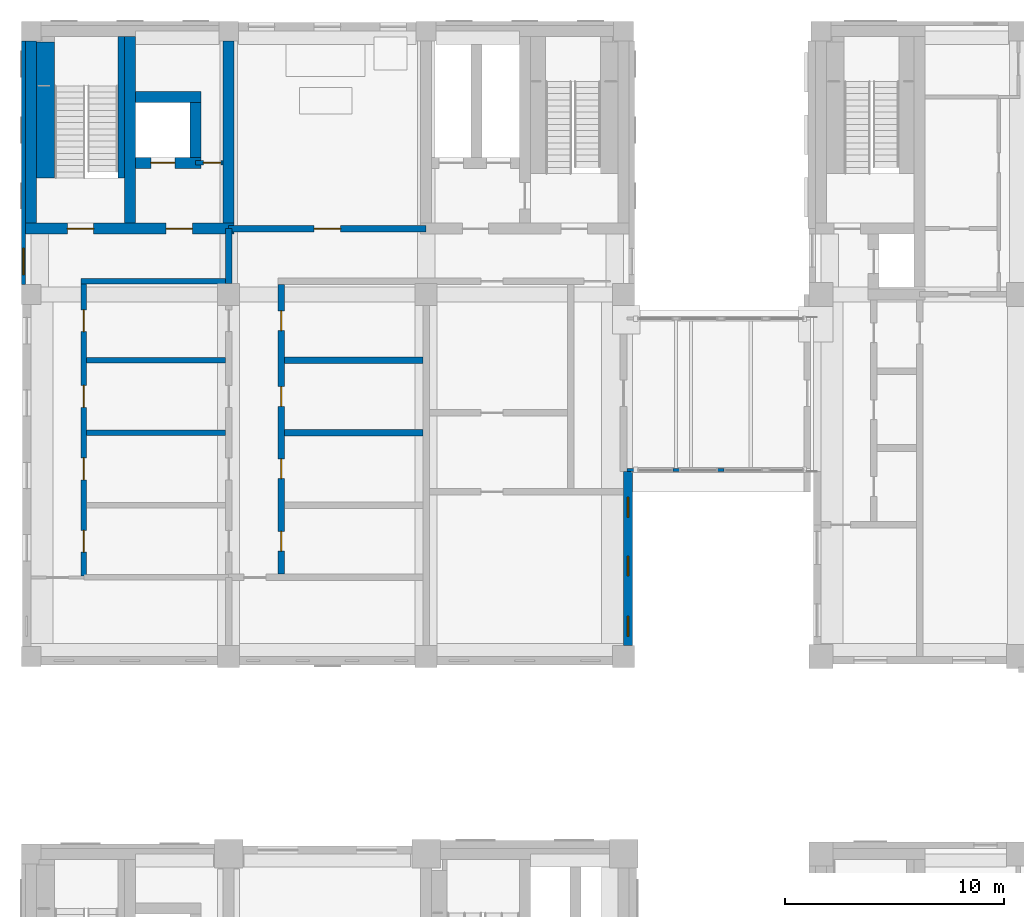
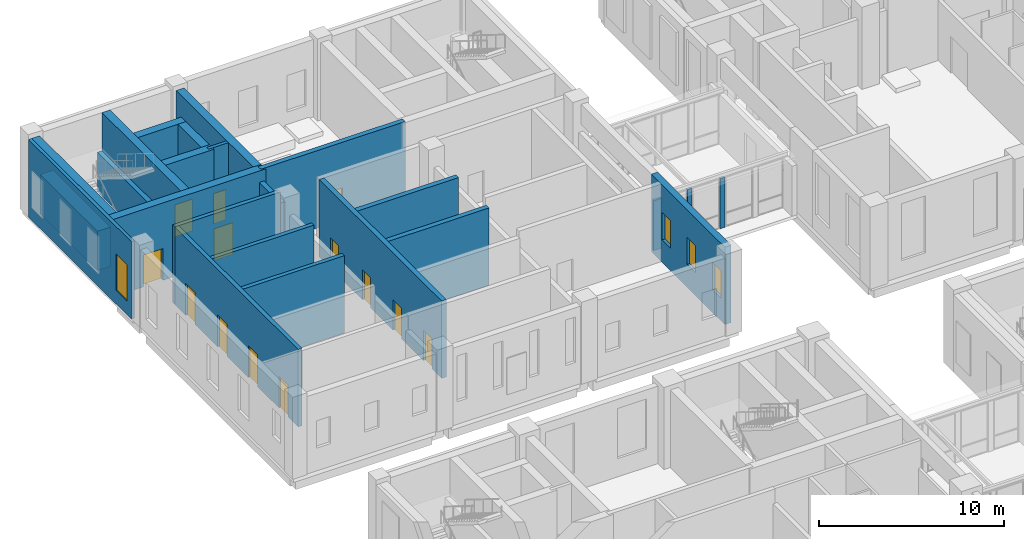
# One storey, part 31 of 52: 24 walls, 13 doors, 4 windows, 17 openings.
"""IFC4 building model written with IfcOpenShell, lengths in metres."""

import ifcopenshell
import ifcopenshell.guid

model = None  # the IFC model being written
_history = None  # IfcOwnerHistory: only IFC2X3 demands one
_inside = {}  # id of a spatial element -> (the spatial element, [elements in it])
_under = {}  # id of a project, library or spatial element -> (it, [spatial elements below it])
_declared = {}  # id of a project -> (the project, [libraries it declares])
_typed = {}  # id of a type object -> (the type object, [elements of that type])
_made_of = {}  # id of a material, layer set ... -> (it, [elements and type objects made of it])


def new_model(schema):
    """Start an empty IFC model of exactly this schema.

    Asked for "IFC4X3", IfcOpenShell would pick the latest addendum, in which some entities
    have other attributes; the version numbers below select the first issue.
    IFC2X3 requires an IfcOwnerHistory on every rooted entity: one is made here for all.
    """
    global model, _history
    if schema == "IFC4X3":
        model = ifcopenshell.file(schema_version=(4, 3, 0, 0))
    else:
        model = ifcopenshell.file(schema=schema)
    _inside.clear()
    _under.clear()
    _declared.clear()
    _typed.clear()
    _made_of.clear()
    _history = None
    if model.schema == "IFC2X3":
        org = make("IfcOrganization", Name="unknown")
        user = make(
            "IfcPersonAndOrganization",
            ThePerson=make("IfcPerson", FamilyName="unknown"),
            TheOrganization=org,
        )
        app = make(
            "IfcApplication",
            ApplicationDeveloper=org,
            Version="unknown",
            ApplicationFullName="unknown",
            ApplicationIdentifier="unknown",
        )
        _history = make(
            "IfcOwnerHistory",
            OwningUser=user,
            OwningApplication=app,
            ChangeAction="ADDED",
            CreationDate=0,
        )
    return model


def make(cls, **values):
    """One entity of the class cls with the attributes given. An attribute that is None is left unset."""
    return model.create_entity(
        cls, **{name: value for name, value in values.items() if value is not None}
    )


def rooted(cls, **values):
    """An entity with a GlobalId (a new one), such as an element, a storey or a relation."""
    return make(cls, GlobalId=ifcopenshell.guid.new(), OwnerHistory=_history, **values)


def si_unit(unit_type, name, prefix=None):
    """IfcSIUnit, for example si_unit("LENGTHUNIT", "METRE", prefix="MILLI")."""
    return make("IfcSIUnit", UnitType=unit_type, Prefix=prefix, Name=name)


def assignment(units):
    """IfcUnitAssignment: the units of a project."""
    return None if units is None else make("IfcUnitAssignment", Units=units)


def point(xyz):
    """IfcCartesianPoint."""
    return None if xyz is None else make("IfcCartesianPoint", Coordinates=xyz)


def direction(xyz):
    """IfcDirection."""
    return None if xyz is None else make("IfcDirection", DirectionRatios=xyz)


def frame(location, z_axis=None, x_axis=None):
    """IfcAxis2Placement3D, a coordinate frame: its origin and axes. An axis left out is left unset."""
    return make(
        "IfcAxis2Placement3D",
        Location=point(location),
        Axis=direction(z_axis),
        RefDirection=direction(x_axis),
    )


def frame_2d(location, x_axis=None):
    """IfcAxis2Placement2D, a coordinate frame in the plane: its origin and x axis."""
    return make(
        "IfcAxis2Placement2D", Location=point(location), RefDirection=direction(x_axis)
    )


def origin():
    """The frame at (0, 0, 0) with its axes left unset."""
    return frame((0.0, 0.0, 0.0))


def place(relative_to, where):
    """IfcLocalPlacement: puts the frame where relative to a parent placement (None: the world)."""
    return make(
        "IfcLocalPlacement", PlacementRelTo=relative_to, RelativePlacement=where
    )


def context(
    kind, dimensions, precision=None, world=None, true_north=None, identifier=None
):
    """IfcGeometricRepresentationContext, for example the 3D "Model" context."""
    return make(
        "IfcGeometricRepresentationContext",
        ContextIdentifier=identifier,
        ContextType=kind,
        CoordinateSpaceDimension=dimensions,
        Precision=precision,
        WorldCoordinateSystem=world,
        TrueNorth=true_north,
    )


def subcontext(parent, identifier, kind, view, scale=None):
    """IfcGeometricRepresentationSubContext, for example "Body" below "Model"."""
    return make(
        "IfcGeometricRepresentationSubContext",
        ContextIdentifier=identifier,
        ContextType=kind,
        ParentContext=parent,
        TargetScale=scale,
        TargetView=view,
    )


def project(units=None, contexts=None):
    """IfcProject with its units and contexts."""
    return rooted(
        "IfcProject",
        Name="project",
        RepresentationContexts=contexts,
        UnitsInContext=assignment(units),
    )


def spatial(cls, under=None, at=None, **own):
    """A site, building, storey or space (cls), placed at a placement, below another one or the project."""
    s = rooted(cls, ObjectPlacement=at, **own)
    if under is not None:
        _under.setdefault(under.id(), (under, []))[1].append(s)
    return s


def profile(cls, at=None, kind="AREA", **sizes):
    """A parametric profile (cls). Its sizes go by their IFC names, for example OverallWidth=200.0."""
    return make(cls, ProfileType=kind, Position=at, **sizes)


def rectangle(**sizes):
    """IfcRectangleProfileDef."""
    return profile("IfcRectangleProfileDef", **sizes)


def extrude(swept, where, along, depth):
    """IfcExtrudedAreaSolid: the profile swept, set in the frame where, extruded along a direction by depth."""
    return make(
        "IfcExtrudedAreaSolid",
        SweptArea=swept,
        Position=where,
        ExtrudedDirection=direction(along),
        Depth=depth,
    )


def shape(context_of_items, identifier, shape_type, items):
    """IfcShapeRepresentation: the items that make up one representation, for example the "Body"."""
    return make(
        "IfcShapeRepresentation",
        ContextOfItems=context_of_items,
        RepresentationIdentifier=identifier,
        RepresentationType=shape_type,
        Items=items,
    )


def material(Name=None, Category=None):
    """IfcMaterial."""
    return make("IfcMaterial", Name=Name, Category=Category)


def layer(
    of_material, thickness, ventilated=None, Name=None, Category=None, Priority=None
):
    """IfcMaterialLayer: one layer of a wall or slab, of a material (None: an air gap)."""
    return make(
        "IfcMaterialLayer",
        Material=of_material,
        LayerThickness=thickness,
        IsVentilated=ventilated,
        Name=Name,
        Category=Category,
        Priority=Priority,
    )


def layer_set(layers, Name=None):
    """IfcMaterialLayerSet."""
    return make("IfcMaterialLayerSet", MaterialLayers=layers, LayerSetName=Name)


def made_of(thing, what):
    """Note that an element or type object is made of a material, layer set ...; save() writes the relation."""
    if what is not None:
        _made_of.setdefault(what.id(), (what, []))[1].append(thing)
    return thing


def type_object(cls, material=None, **own):
    """A type object (cls), such as IfcWallType, which elements share."""
    return made_of(rooted(cls, **own), material)


def element(
    cls,
    number,
    at=None,
    inside=None,
    cuts=None,
    type_object=None,
    material=None,
    context=None,
    identifier="Body",
    shape_type=None,
    held_by="IfcProductDefinitionShape",
    body=None,
    shapes=None,
    **own,
):
    """One element of the class cls, such as IfcWall. Its Tag is "e" and its number.

    at: its placement. inside: the storey or other place that contains it. cuts: it is an
    opening in that element (IfcRelVoidsElement). A single representation is given by context,
    identifier, shape_type and body (its items); several are given by shapes. held_by: the class
    of the entity that holds the representations. save() writes the other relations.
    """
    e = rooted(cls, Tag="e%d" % number, ObjectPlacement=at, **own)
    if body is not None:
        shapes = [shape(context, identifier, shape_type, body)]
    if shapes is not None:
        e.Representation = make(held_by, Representations=shapes)
    if inside is not None:
        _inside.setdefault(inside.id(), (inside, []))[1].append(e)
    if cuts is not None:
        rooted(
            "IfcRelVoidsElement", RelatingBuildingElement=cuts, RelatedOpeningElement=e
        )
    if type_object is not None:
        _typed.setdefault(type_object.id(), (type_object, []))[1].append(e)
    return made_of(e, material)


def fill(opening, filler):
    """IfcRelFillsElement: the door or window that sits in an opening."""
    return rooted(
        "IfcRelFillsElement",
        RelatingOpeningElement=opening,
        RelatedBuildingElement=filler,
    )


def aggregate(whole, parts):
    """IfcRelAggregates: a whole, such as a stair, and the parts it consists of."""
    return rooted("IfcRelAggregates", RelatingObject=whole, RelatedObjects=parts)


def save(model, path):
    """Write the relations noted so far, then the file.

    IfcRelAggregates (storeys below a building ...), IfcRelContainedInSpatialStructure (elements
    in a storey), IfcRelDefinesByType, IfcRelAssociatesMaterial and IfcRelDeclares: one each for
    every whole, place, type object, material and project.
    """
    for whole, parts in _under.values():
        aggregate(whole, parts)
    for where, things in _inside.values():
        rooted(
            "IfcRelContainedInSpatialStructure",
            RelatedElements=things,
            RelatingStructure=where,
        )
    for kind, things in _typed.values():
        rooted("IfcRelDefinesByType", RelatedObjects=things, RelatingType=kind)
    for what, things in _made_of.values():
        rooted("IfcRelAssociatesMaterial", RelatedObjects=things, RelatingMaterial=what)
    for by, libraries in _declared.values():
        rooted("IfcRelDeclares", RelatingContext=by, RelatedDefinitions=libraries)
    model.write(path)


model = new_model("IFC4")

# Units and contexts
model_context = context("Model", 3, precision=1e-05, world=origin(), true_north=direction((0.0, 1.0)))
body_context = subcontext(model_context, "Body", "Model", "MODEL_VIEW")
ifc_project = project(units=[si_unit("LENGTHUNIT", "METRE"), si_unit("AREAUNIT", "SQUARE_METRE"), si_unit("VOLUMEUNIT", "CUBIC_METRE"), si_unit("PLANEANGLEUNIT", "RADIAN"), si_unit("MASSUNIT", "GRAM", prefix="KILO")], contexts=[model_context])

# Site, building, storey
site_placement = place(None, origin())
site = spatial("IfcSite", under=ifc_project, at=site_placement, CompositionType="ELEMENT")
building_placement = place(site_placement, origin())
building = spatial("IfcBuilding", under=site, at=building_placement, Name="Aurelan Courthouse", CompositionType="ELEMENT")
storey_placement = place(building_placement, frame((0.0, 0.0, 6.60009765625)))
storey = spatial("IfcBuildingStorey", under=building, at=storey_placement, Name="L01", CompositionType="ELEMENT", Elevation=6.60009765625)

# Walls
ifc_material_1 = material(Name="Masonry block", Category="masonry")
ifc_layer_1 = layer(ifc_material_1, 0.25)
ifc_layer_set_1 = layer_set([ifc_layer_1], Name="Masonry block")
wall_type_1 = type_object("IfcWallType", Name="Courtroom wall 250 EI 60", PredefinedType="PARTITIONING", material=ifc_layer_set_1)
for number, where, z_axis, x_axis, name in (
    (1, (2.52490234375, 47.699951171875, 0.0), (0.0, 0.0, 1.0), (1.0, 0.0, 0.0), "Courtroom wall L01-039"),
    (2, (2.52490234375, 51.0, 0.0), (0.0, 0.0, 1.0), (1.0, 0.0, 0.0), "Courtroom wall L01-044"),
):
    element("IfcWall", number, at=place(storey_placement, frame(where, z_axis=z_axis, x_axis=x_axis)), inside=storey, type_object=wall_type_1, Name=name, PredefinedType="PARTITIONING", context=body_context, shape_type="SweptSolid", body=[
        extrude(rectangle(XDim=6.3251953125, YDim=0.25, at=frame_2d((3.16259765625, 0.0))), origin(), (0.0, 0.0, 1.0), 5.099853515625),
    ])
wall_1_placement = place(storey_placement, frame((2.27490234375, 54.60009765625, 0.0), z_axis=(0.0, 0.0, 1.0), x_axis=(1.0, 0.0, 0.0)))
element("IfcWall", 3, at=wall_1_placement, inside=storey, type_object=wall_type_1, Name="Courtroom wall L01-055", PredefinedType="PARTITIONING", context=body_context, shape_type="SweptSolid", body=[
    extrude(rectangle(XDim=6.5751953125, YDim=0.25, at=frame_2d((3.28759765625, 0.0))), origin(), (0.0, 0.0, 1.0), 5.099853515625),
])

# Wall, openings, doors
wall_2_placement = place(storey_placement, frame((2.39990234375, 41.175048828125, 0.0), z_axis=(0.0, 0.0, 1.0), x_axis=(0.0, 1.0, 0.0)))
wall_2 = element("IfcWall", 4, at=wall_2_placement, inside=storey, type_object=wall_type_1, Name="Courtroom wall L01-067", PredefinedType="PARTITIONING", context=body_context, shape_type="SweptSolid", body=[
    extrude(rectangle(XDim=13.300048828125, YDim=0.25, at=frame_2d((6.64990234375, 0.0))), origin(), (0.0, 0.0, 1.0), 5.099853515625),
])
opening_1_placement = place(wall_2_placement, frame((12.125, 0.0, 0.0), z_axis=(0.0, 0.0, 1.0), x_axis=(-1.0, 0.0, 0.0)))
opening_1 = element("IfcOpeningElement", 5, at=opening_1_placement, cuts=wall_2, Name="Opening D-L01-101", PredefinedType="OPENING", context=body_context, shape_type="SweptSolid", body=[
    extrude(rectangle(XDim=1.0, YDim=2.10009765625, at=frame_2d((0.5, 1.050048828125))), frame((0.0, 0.135009765625, 0.0), z_axis=(0.0, -1.0, 0.0), x_axis=(1.0, 0.0, 0.0)), (0.0, 0.0, 1.0), 0.27001953125),
])
opening_2_placement = place(wall_2_placement, frame((8.675048828125, 0.0, 0.0), z_axis=(0.0, 0.0, 1.0), x_axis=(-1.0, 0.0, 0.0)))
opening_2 = element("IfcOpeningElement", 6, at=opening_2_placement, cuts=wall_2, Name="Opening D-L01-103", PredefinedType="OPENING", context=body_context, shape_type="SweptSolid", body=[
    extrude(rectangle(XDim=1.0, YDim=2.10009765625, at=frame_2d((0.5, 1.050048828125))), frame((0.0, 0.135009765625, 0.0), z_axis=(0.0, -1.0, 0.0), x_axis=(1.0, 0.0, 0.0)), (0.0, 0.0, 1.0), 0.27001953125),
])
opening_3_placement = place(wall_2_placement, frame((5.375, 0.0, 0.0), z_axis=(0.0, 0.0, 1.0), x_axis=(-1.0, 0.0, 0.0)))
opening_3 = element("IfcOpeningElement", 7, at=opening_3_placement, cuts=wall_2, Name="Opening D-L01-105", PredefinedType="OPENING", context=body_context, shape_type="SweptSolid", body=[
    extrude(rectangle(XDim=1.0, YDim=2.10009765625, at=frame_2d((0.5, 1.050048828125))), frame((0.0, 0.135009765625, 0.0), z_axis=(0.0, -1.0, 0.0), x_axis=(1.0, 0.0, 0.0)), (0.0, 0.0, 1.0), 0.27001953125),
])
opening_4_placement = place(wall_2_placement, frame((2.074951171875, 0.0, 0.0), z_axis=(0.0, 0.0, 1.0), x_axis=(-1.0, 0.0, 0.0)))
opening_4 = element("IfcOpeningElement", 8, at=opening_4_placement, cuts=wall_2, Name="Opening D-L01-107", PredefinedType="OPENING", context=body_context, shape_type="SweptSolid", body=[
    extrude(rectangle(XDim=1.0, YDim=2.10009765625, at=frame_2d((0.5, 1.050048828125))), frame((0.0, 0.135009765625, 0.0), z_axis=(0.0, -1.0, 0.0), x_axis=(1.0, 0.0, 0.0)), (0.0, 0.0, 1.0), 0.27001953125),
])
ifc_material_2 = material(Name="Steel", Category="steel")
door_type_1 = type_object("IfcDoorType", Name="Single door 1000 x 2100 FD30", OperationType="SINGLE_SWING_LEFT", PredefinedType="DOOR", material=ifc_material_2)
door_1_placement = place(opening_1_placement, origin())
door_1 = element("IfcDoor", 9, at=door_1_placement, inside=storey, type_object=door_type_1, Name="Single door D-L01-101", OperationType="SINGLE_SWING_LEFT", OverallHeight=2.10009765625, OverallWidth=1.0, PredefinedType="DOOR", context=body_context, shape_type="SweptSolid", body=[
    extrude(rectangle(XDim=1.0, YDim=2.10009765625, at=frame_2d((0.5, 1.050048828125))), frame((0.0, 0.02490234375, 0.0), z_axis=(0.0, -1.0, 0.0), x_axis=(1.0, 0.0, 0.0)), (0.0, 0.0, 1.0), 0.050048828125),
])
fill(opening_1, door_1)
door_2_placement = place(opening_2_placement, origin())
door_2 = element("IfcDoor", 10, at=door_2_placement, inside=storey, type_object=door_type_1, Name="Single door D-L01-103", OperationType="SINGLE_SWING_LEFT", OverallHeight=2.10009765625, OverallWidth=1.0, PredefinedType="DOOR", context=body_context, shape_type="SweptSolid", body=[
    extrude(rectangle(XDim=1.0, YDim=2.10009765625, at=frame_2d((0.5, 1.050048828125))), frame((0.0, 0.02490234375, 0.0), z_axis=(0.0, -1.0, 0.0), x_axis=(1.0, 0.0, 0.0)), (0.0, 0.0, 1.0), 0.050048828125),
])
fill(opening_2, door_2)
door_3_placement = place(opening_3_placement, origin())
door_3 = element("IfcDoor", 11, at=door_3_placement, inside=storey, type_object=door_type_1, Name="Single door D-L01-105", OperationType="SINGLE_SWING_LEFT", OverallHeight=2.10009765625, OverallWidth=1.0, PredefinedType="DOOR", context=body_context, shape_type="SweptSolid", body=[
    extrude(rectangle(XDim=1.0, YDim=2.10009765625, at=frame_2d((0.5, 1.050048828125))), frame((0.0, 0.02490234375, 0.0), z_axis=(0.0, -1.0, 0.0), x_axis=(1.0, 0.0, 0.0)), (0.0, 0.0, 1.0), 0.050048828125),
])
fill(opening_3, door_3)
door_4_placement = place(opening_4_placement, origin())
door_4 = element("IfcDoor", 12, at=door_4_placement, inside=storey, type_object=door_type_1, Name="Single door D-L01-107", OperationType="SINGLE_SWING_LEFT", OverallHeight=2.10009765625, OverallWidth=1.0, PredefinedType="DOOR", context=body_context, shape_type="SweptSolid", body=[
    extrude(rectangle(XDim=1.0, YDim=2.10009765625, at=frame_2d((0.5, 1.050048828125))), frame((0.0, 0.02490234375, 0.0), z_axis=(0.0, -1.0, 0.0), x_axis=(1.0, 0.0, 0.0)), (0.0, 0.0, 1.0), 0.050048828125),
])
fill(opening_4, door_4)

# Wall, opening, window
ifc_material_3 = material(Name="Granite cladding", Category="masonry")
ifc_layer_2 = layer(ifc_material_3, 0.054931640625, Name="Facing")
ifc_material_4 = material(Name="Ventilated cavity")
ifc_layer_3 = layer(ifc_material_4, 0.02490234375, ventilated=True, Name="Ventilated cavity")
ifc_material_5 = material(Name="Mineral wool insulation")
ifc_layer_4 = layer(ifc_material_5, 0.030029296875, Name="Insulation")
ifc_material_6 = material(Name="Concrete C30", Category="concrete")
ifc_layer_5 = layer(ifc_material_6, 0.090087890625, Name="Structure")
ifc_layer_set_2 = layer_set([ifc_layer_2, ifc_layer_3, ifc_layer_4, ifc_layer_5], Name="Concrete C30")
wall_type_2 = type_object("IfcWallType", Name="Custody Suite granite-faced wall 200", PredefinedType="SOLIDWALL", material=ifc_layer_set_2)
wall_3_placement = place(storey_placement, frame((-0.35009765625, 54.449951171875, 0.0), z_axis=(0.0, 0.0, 1.0), x_axis=(0.0, 1.0, 0.0)))
wall_3 = element("IfcWall", 13, at=wall_3_placement, inside=storey, type_object=wall_type_2, Name="Facade wall FW-V6-L01-010", PredefinedType="SOLIDWALL", context=body_context, shape_type="SweptSolid", body=[
    extrude(rectangle(XDim=11.10009765625, YDim=0.199951171875, at=frame_2d((5.550048828125, 0.0))), origin(), (0.0, 0.0, 1.0), 5.099853515625),
])
opening_5_placement = place(wall_3_placement, frame((0.449951171875, 0.0, 0.89990234375)))
opening_5 = element("IfcOpeningElement", 14, at=opening_5_placement, cuts=wall_3, Name="Opening WN-V6-L01-023", PredefinedType="OPENING", context=body_context, shape_type="SweptSolid", body=[
    extrude(rectangle(XDim=1.199951171875, YDim=2.39990234375, at=frame_2d((0.60009765625, 1.199951171875))), frame((0.0, 0.10986328125, 0.0), z_axis=(0.0, -1.0, 0.0), x_axis=(1.0, 0.0, 0.0)), (0.0, 0.0, 1.0), 0.219970703125),
])
ifc_material_7 = material(Name="Bronze-finished aluminium and glass", Category="aluminium")
window_type_1 = type_object("IfcWindowType", Name="Custody Suite glazed slot 1200 x 2400, sill 900", PartitioningType="SINGLE_PANEL", PredefinedType="WINDOW", material=ifc_material_7)
window_1_placement = place(opening_5_placement, origin())
window_1 = element("IfcWindow", 15, at=window_1_placement, inside=storey, type_object=window_type_1, Name="Glazed slot WN-V6-L01-023", OverallHeight=2.39990234375, OverallWidth=1.199951171875, PartitioningType="SINGLE_PANEL", PredefinedType="WINDOW", context=body_context, shape_type="SweptSolid", body=[
    extrude(rectangle(XDim=1.199951171875, YDim=2.39990234375, at=frame_2d((0.60009765625, 1.199951171875))), frame((0.0, 0.030029296875, 0.0), z_axis=(0.0, -1.0, 0.0), x_axis=(1.0, 0.0, 0.0)), (0.0, 0.0, 1.0), 0.06005859375),
])
fill(opening_5, window_1)

# Wall, openings, windows
ifc_layer_6 = layer(ifc_material_3, 0.114990234375, Name="Facing")
ifc_layer_7 = layer(ifc_material_4, 0.02490234375, ventilated=True, Name="Ventilated cavity")
ifc_layer_8 = layer(ifc_material_5, 0.054931640625, Name="Insulation")
ifc_layer_9 = layer(ifc_material_6, 0.205078125, Name="Structure")
ifc_layer_set_3 = layer_set([ifc_layer_6, ifc_layer_7, ifc_layer_8, ifc_layer_9], Name="Concrete C30")
wall_type_3 = type_object("IfcWallType", Name="Custody Suite granite-faced wall 400", PredefinedType="SOLIDWALL", material=ifc_layer_set_3)
wall_4_placement = place(storey_placement, frame((27.199951171875, 38.0, 0.0), z_axis=(0.0, 0.0, 1.0), x_axis=(0.0, 1.0, 0.0)))
wall_4 = element("IfcWall", 16, at=wall_4_placement, inside=storey, type_object=wall_type_3, Name="Facade wall FW-V6-L01-007", PredefinedType="SOLIDWALL", context=body_context, shape_type="SweptSolid", body=[
    extrude(rectangle(XDim=7.925048828125, YDim=0.39990234375, at=frame_2d((3.96240234375, 0.0))), origin(), (0.0, 0.0, 1.0), 5.099853515625),
])
opening_6_placement = place(wall_4_placement, frame((0.425048828125, 0.0, 1.5)))
opening_6 = element("IfcOpeningElement", 17, at=opening_6_placement, cuts=wall_4, Name="Opening WN-V6-L01-014", PredefinedType="OPENING", context=body_context, shape_type="SweptSolid", body=[
    extrude(rectangle(XDim=0.89990234375, YDim=1.800048828125, at=frame_2d((0.449951171875, 0.89990234375))), frame((0.0, 0.2099609375, 0.0), z_axis=(0.0, -1.0, 0.0), x_axis=(1.0, 0.0, 0.0)), (0.0, 0.0, 1.0), 0.419921875),
])
opening_7_placement = place(wall_4_placement, frame((3.175048828125, 0.0, 1.5)))
opening_7 = element("IfcOpeningElement", 18, at=opening_7_placement, cuts=wall_4, Name="Opening WN-V6-L01-015", PredefinedType="OPENING", context=body_context, shape_type="SweptSolid", body=[
    extrude(rectangle(XDim=0.89990234375, YDim=1.800048828125, at=frame_2d((0.449951171875, 0.89990234375))), frame((0.0, 0.2099609375, 0.0), z_axis=(0.0, -1.0, 0.0), x_axis=(1.0, 0.0, 0.0)), (0.0, 0.0, 1.0), 0.419921875),
])
opening_8_placement = place(wall_4_placement, frame((5.844970703125, 0.0, 1.5)))
opening_8 = element("IfcOpeningElement", 19, at=opening_8_placement, cuts=wall_4, Name="Opening WN-V6-L01-016", PredefinedType="OPENING", context=body_context, shape_type="SweptSolid", body=[
    extrude(rectangle(XDim=0.89990234375, YDim=1.800048828125, at=frame_2d((0.449951171875, 0.89990234375))), frame((0.0, 0.2099609375, 0.0), z_axis=(0.0, -1.0, 0.0), x_axis=(1.0, 0.0, 0.0)), (0.0, 0.0, 1.0), 0.419921875),
])
window_type_2 = type_object("IfcWindowType", Name="Custody Suite window 900 x 1800, sill 1500", PartitioningType="SINGLE_PANEL", PredefinedType="WINDOW", material=ifc_material_7)
window_2_placement = place(opening_6_placement, origin())
window_2 = element("IfcWindow", 20, at=window_2_placement, inside=storey, type_object=window_type_2, Name="Window WN-V6-L01-014", OverallHeight=1.800048828125, OverallWidth=0.89990234375, PartitioningType="SINGLE_PANEL", PredefinedType="WINDOW", context=body_context, shape_type="SweptSolid", body=[
    extrude(rectangle(XDim=0.89990234375, YDim=1.800048828125, at=frame_2d((0.449951171875, 0.89990234375))), frame((0.0, 0.030029296875, 0.0), z_axis=(0.0, -1.0, 0.0), x_axis=(1.0, 0.0, 0.0)), (0.0, 0.0, 1.0), 0.06005859375),
])
fill(opening_6, window_2)
window_3_placement = place(opening_7_placement, origin())
window_3 = element("IfcWindow", 21, at=window_3_placement, inside=storey, type_object=window_type_2, Name="Window WN-V6-L01-015", OverallHeight=1.800048828125, OverallWidth=0.89990234375, PartitioningType="SINGLE_PANEL", PredefinedType="WINDOW", context=body_context, shape_type="SweptSolid", body=[
    extrude(rectangle(XDim=0.89990234375, YDim=1.800048828125, at=frame_2d((0.449951171875, 0.89990234375))), frame((0.0, 0.030029296875, 0.0), z_axis=(0.0, -1.0, 0.0), x_axis=(1.0, 0.0, 0.0)), (0.0, 0.0, 1.0), 0.06005859375),
])
fill(opening_7, window_3)
window_4_placement = place(opening_8_placement, origin())
window_4 = element("IfcWindow", 22, at=window_4_placement, inside=storey, type_object=window_type_2, Name="Window WN-V6-L01-016", OverallHeight=1.800048828125, OverallWidth=0.89990234375, PartitioningType="SINGLE_PANEL", PredefinedType="WINDOW", context=body_context, shape_type="SweptSolid", body=[
    extrude(rectangle(XDim=0.89990234375, YDim=1.800048828125, at=frame_2d((0.449951171875, 0.89990234375))), frame((0.0, 0.030029296875, 0.0), z_axis=(0.0, -1.0, 0.0), x_axis=(1.0, 0.0, 0.0)), (0.0, 0.0, 1.0), 0.06005859375),
])
fill(opening_8, window_4)

# Walls
ifc_layer_10 = layer(ifc_material_6, 0.300048828125)
ifc_layer_set_4 = layer_set([ifc_layer_10], Name="Concrete C30")
wall_type_4 = type_object("IfcWallType", Name="Custody wall 300 EI 120", PredefinedType="PARTITIONING", material=ifc_layer_set_4)
for number, where, z_axis, x_axis, name in (
    (23, (11.550048828125, 47.699951171875, 0.0), (0.0, 0.0, 1.0), (1.0, 0.0, 0.0), "Custody wall L01-040"),
    (24, (11.550048828125, 51.0, 0.0), (0.0, 0.0, 1.0), (1.0, 0.0, 0.0), "Custody wall L01-045"),
):
    element("IfcWall", number, at=place(storey_placement, frame(where, z_axis=z_axis, x_axis=x_axis)), inside=storey, type_object=wall_type_4, Name=name, PredefinedType="PARTITIONING", context=body_context, shape_type="SweptSolid", body=[
        extrude(rectangle(XDim=6.300048828125, YDim=0.300048828125, at=frame_2d((3.14990234375, 0.0))), origin(), (0.0, 0.0, 1.0), 5.099853515625),
    ])

# Wall, opening, door
wall_5_placement = place(storey_placement, frame((9.0, 57.0, 0.0), z_axis=(0.0, 0.0, 1.0), x_axis=(1.0, 0.0, 0.0)))
wall_5 = element("IfcWall", 25, at=wall_5_placement, inside=storey, type_object=wall_type_4, Name="Custody wall L01-057", PredefinedType="PARTITIONING", context=body_context, shape_type="SweptSolid", body=[
    extrude(rectangle(XDim=9.0, YDim=0.300048828125, at=frame_2d((4.5, 0.0))), origin(), (0.0, 0.0, 1.0), 5.099853515625),
])
opening_9_placement = place(wall_5_placement, frame((3.89990234375, 0.0, 0.0)))
opening_9 = element("IfcOpeningElement", 26, at=opening_9_placement, cuts=wall_5, Name="Opening D-L01-100", PredefinedType="OPENING", context=body_context, shape_type="SweptSolid", body=[
    extrude(rectangle(XDim=1.199951171875, YDim=2.10009765625, at=frame_2d((0.60009765625, 1.050048828125))), frame((0.0, 0.159912109375, 0.0), z_axis=(0.0, -1.0, 0.0), x_axis=(1.0, 0.0, 0.0)), (0.0, 0.0, 1.0), 0.320068359375),
])
door_type_2 = type_object("IfcDoorType", Name="Single door 1200 x 2100 FD120", OperationType="SINGLE_SWING_LEFT", PredefinedType="DOOR", material=ifc_material_2)
door_5_placement = place(opening_9_placement, origin())
door_5 = element("IfcDoor", 27, at=door_5_placement, inside=storey, type_object=door_type_2, Name="Single door D-L01-100", OperationType="SINGLE_SWING_LEFT", OverallHeight=2.10009765625, OverallWidth=1.199951171875, PredefinedType="DOOR", context=body_context, shape_type="SweptSolid", body=[
    extrude(rectangle(XDim=1.199951171875, YDim=2.10009765625, at=frame_2d((0.60009765625, 1.050048828125))), frame((0.0, 0.02490234375, 0.0), z_axis=(0.0, -1.0, 0.0), x_axis=(1.0, 0.0, 0.0)), (0.0, 0.0, 1.0), 0.050048828125),
])
fill(opening_9, door_5)

# Wall
wall_6_placement = place(storey_placement, frame((9.0, 54.5, 0.0), z_axis=(0.0, 0.0, 1.0), x_axis=(0.0, 1.0, 0.0)))
element("IfcWall", 28, at=wall_6_placement, inside=storey, type_object=wall_type_4, Name="Custody wall L01-074", PredefinedType="PARTITIONING", context=body_context, shape_type="SweptSolid", body=[
    extrude(rectangle(XDim=2.5, YDim=0.300048828125, at=frame_2d((1.25, 0.0))), origin(), (0.0, 0.0, 1.0), 4.349853515625),
])

# Wall, openings, doors
wall_7_placement = place(storey_placement, frame((11.39990234375, 41.25, 0.0), z_axis=(0.0, 0.0, 1.0), x_axis=(0.0, 1.0, 0.0)))
wall_7 = element("IfcWall", 29, at=wall_7_placement, inside=storey, type_object=wall_type_4, Name="Custody wall L01-075", PredefinedType="PARTITIONING", context=body_context, shape_type="SweptSolid", body=[
    extrude(rectangle(XDim=13.199951171875, YDim=0.300048828125, at=frame_2d((6.60009765625, 0.0))), origin(), (0.0, 0.0, 1.0), 5.099853515625),
])
opening_10_placement = place(wall_7_placement, frame((12.0, 0.0, 0.0), z_axis=(0.0, 0.0, 1.0), x_axis=(-1.0, 0.0, 0.0)))
opening_10 = element("IfcOpeningElement", 30, at=opening_10_placement, cuts=wall_7, Name="Opening D-L01-111", PredefinedType="OPENING", context=body_context, shape_type="SweptSolid", body=[
    extrude(rectangle(XDim=0.89990234375, YDim=2.0, at=frame_2d((0.449951171875, 1.0))), frame((0.0, 0.159912109375, 0.0), z_axis=(0.0, -1.0, 0.0), x_axis=(1.0, 0.0, 0.0)), (0.0, 0.0, 1.0), 0.320068359375),
])
opening_11_placement = place(wall_7_placement, frame((8.5498046875, 0.0, 0.0), z_axis=(0.0, 0.0, 1.0), x_axis=(-1.0, 0.0, 0.0)))
opening_11 = element("IfcOpeningElement", 31, at=opening_11_placement, cuts=wall_7, Name="Opening D-L01-112", PredefinedType="OPENING", context=body_context, shape_type="SweptSolid", body=[
    extrude(rectangle(XDim=0.89990234375, YDim=2.0, at=frame_2d((0.449951171875, 1.0))), frame((0.0, 0.159912109375, 0.0), z_axis=(0.0, -1.0, 0.0), x_axis=(1.0, 0.0, 0.0)), (0.0, 0.0, 1.0), 0.320068359375),
])
opening_12_placement = place(wall_7_placement, frame((5.25, 0.0, 0.0), z_axis=(0.0, 0.0, 1.0), x_axis=(-1.0, 0.0, 0.0)))
opening_12 = element("IfcOpeningElement", 32, at=opening_12_placement, cuts=wall_7, Name="Opening D-L01-113", PredefinedType="OPENING", context=body_context, shape_type="SweptSolid", body=[
    extrude(rectangle(XDim=0.89990234375, YDim=2.0, at=frame_2d((0.449951171875, 1.0))), frame((0.0, 0.159912109375, 0.0), z_axis=(0.0, -1.0, 0.0), x_axis=(1.0, 0.0, 0.0)), (0.0, 0.0, 1.0), 0.320068359375),
])
opening_13_placement = place(wall_7_placement, frame((1.949951171875, 0.0, 0.0), z_axis=(0.0, 0.0, 1.0), x_axis=(-1.0, 0.0, 0.0)))
opening_13 = element("IfcOpeningElement", 33, at=opening_13_placement, cuts=wall_7, Name="Opening D-L01-114", PredefinedType="OPENING", context=body_context, shape_type="SweptSolid", body=[
    extrude(rectangle(XDim=0.89990234375, YDim=2.0, at=frame_2d((0.449951171875, 1.0))), frame((0.0, 0.159912109375, 0.0), z_axis=(0.0, -1.0, 0.0), x_axis=(1.0, 0.0, 0.0)), (0.0, 0.0, 1.0), 0.320068359375),
])
door_type_3 = type_object("IfcDoorType", Name="Single door 900 x 2000 FD120", OperationType="SINGLE_SWING_LEFT", PredefinedType="DOOR", material=ifc_material_2)
door_6_placement = place(opening_10_placement, origin())
door_6 = element("IfcDoor", 34, at=door_6_placement, inside=storey, type_object=door_type_3, Name="Single door D-L01-111", OperationType="SINGLE_SWING_LEFT", OverallHeight=2.0, OverallWidth=0.89990234375, PredefinedType="DOOR", context=body_context, shape_type="SweptSolid", body=[
    extrude(rectangle(XDim=0.89990234375, YDim=2.0, at=frame_2d((0.449951171875, 1.0))), frame((0.0, 0.02490234375, 0.0), z_axis=(0.0, -1.0, 0.0), x_axis=(1.0, 0.0, 0.0)), (0.0, 0.0, 1.0), 0.050048828125),
])
fill(opening_10, door_6)
door_7_placement = place(opening_11_placement, origin())
door_7 = element("IfcDoor", 35, at=door_7_placement, inside=storey, type_object=door_type_3, Name="Single door D-L01-112", OperationType="SINGLE_SWING_RIGHT", OverallHeight=2.0, OverallWidth=0.89990234375, PredefinedType="DOOR", context=body_context, shape_type="SweptSolid", body=[
    extrude(rectangle(XDim=0.89990234375, YDim=2.0, at=frame_2d((0.449951171875, 1.0))), frame((0.0, 0.02490234375, 0.0), z_axis=(0.0, -1.0, 0.0), x_axis=(1.0, 0.0, 0.0)), (0.0, 0.0, 1.0), 0.050048828125),
])
fill(opening_11, door_7)
door_8_placement = place(opening_12_placement, origin())
door_8 = element("IfcDoor", 36, at=door_8_placement, inside=storey, type_object=door_type_3, Name="Single door D-L01-113", OperationType="SINGLE_SWING_LEFT", OverallHeight=2.0, OverallWidth=0.89990234375, PredefinedType="DOOR", context=body_context, shape_type="SweptSolid", body=[
    extrude(rectangle(XDim=0.89990234375, YDim=2.0, at=frame_2d((0.449951171875, 1.0))), frame((0.0, 0.02490234375, 0.0), z_axis=(0.0, -1.0, 0.0), x_axis=(1.0, 0.0, 0.0)), (0.0, 0.0, 1.0), 0.050048828125),
])
fill(opening_12, door_8)
door_9_placement = place(opening_13_placement, origin())
door_9 = element("IfcDoor", 37, at=door_9_placement, inside=storey, type_object=door_type_3, Name="Single door D-L01-114", OperationType="SINGLE_SWING_RIGHT", OverallHeight=2.0, OverallWidth=0.89990234375, PredefinedType="DOOR", context=body_context, shape_type="SweptSolid", body=[
    extrude(rectangle(XDim=0.89990234375, YDim=2.0, at=frame_2d((0.449951171875, 1.0))), frame((0.0, 0.02490234375, 0.0), z_axis=(0.0, -1.0, 0.0), x_axis=(1.0, 0.0, 0.0)), (0.0, 0.0, 1.0), 0.050048828125),
])
fill(opening_13, door_9)

# Walls
ifc_material_8 = material(Name="Concrete C40", Category="concrete")
ifc_layer_11 = layer(ifc_material_8, 0.14990234375)
ifc_layer_set_5 = layer_set([ifc_layer_11], Name="Concrete C40")
wall_type_5 = type_object("IfcWallType", Name="Passage end pier 150 x 500 x 3300", PredefinedType="SOLIDWALL", material=ifc_layer_set_5)
wall_8_placement = place(storey_placement, frame((27.14990234375, 46.0, 0.0), z_axis=(0.0, 0.0, 1.0), x_axis=(1.0, 0.0, 0.0)))
element("IfcWall", 38, at=wall_8_placement, inside=storey, type_object=wall_type_5, Name="Passage pier BR4-P01", PredefinedType="SOLIDWALL", context=body_context, shape_type="SweptSolid", body=[
    extrude(rectangle(XDim=0.5, YDim=0.14990234375, at=frame_2d((0.25, 0.0))), origin(), (0.0, 0.0, 1.0), 3.2998046875),
])
ifc_layer_12 = layer(ifc_material_8, 0.14990234375)
ifc_layer_set_6 = layer_set([ifc_layer_12], Name="Concrete C40")
wall_type_6 = type_object("IfcWallType", Name="Passage pier 150 x 300 x 3300", PredefinedType="SOLIDWALL", material=ifc_layer_set_6)
for number, where, z_axis, x_axis, name in (
    (39, (29.243896484375, 46.0, 0.0), (0.0, 0.0, 1.0), (1.0, 0.0, 0.0), "Passage pier BR4-P02"),
    (40, (31.28759765625, 46.0, 0.0), (0.0, 0.0, 1.0), (1.0, 0.0, 0.0), "Passage pier BR4-P03"),
):
    element("IfcWall", number, at=place(storey_placement, frame(where, z_axis=z_axis, x_axis=x_axis)), inside=storey, type_object=wall_type_6, Name=name, PredefinedType="SOLIDWALL", context=body_context, shape_type="SweptSolid", body=[
        extrude(rectangle(XDim=0.2998046875, YDim=0.14990234375, at=frame_2d((0.14990234375, 0.0))), origin(), (0.0, 0.0, 1.0), 3.2998046875),
    ])

# Wall, openings, doors
ifc_material_9 = material(Name="Concrete C50", Category="concrete")
ifc_layer_13 = layer(ifc_material_9, 0.5)
ifc_layer_set_7 = layer_set([ifc_layer_13], Name="Concrete C50")
wall_type_7 = type_object("IfcWallType", Name="RC shear wall 500", PredefinedType="SHEAR", material=ifc_layer_set_7)
wall_9_placement = place(storey_placement, frame((-0.25, 57.0, 0.0), z_axis=(0.0, 0.0, 1.0), x_axis=(1.0, 0.0, 0.0)))
wall_9 = element("IfcWall", 41, at=wall_9_placement, inside=storey, type_object=wall_type_7, Name="Core wall SW-L01-047", PredefinedType="SHEAR", context=body_context, shape_type="SweptSolid", body=[
    extrude(rectangle(XDim=9.5, YDim=0.5, at=frame_2d((4.75, 0.0))), origin(), (0.0, 0.0, 1.0), 5.099853515625),
])
opening_14_placement = place(wall_9_placement, frame((1.89990234375, 0.0, 0.0)))
opening_14 = element("IfcOpeningElement", 42, at=opening_14_placement, cuts=wall_9, Name="Opening D-L01-090", PredefinedType="OPENING", context=body_context, shape_type="SweptSolid", body=[
    extrude(rectangle(XDim=1.199951171875, YDim=2.10009765625, at=frame_2d((0.60009765625, 1.050048828125))), frame((0.0, 0.260009765625, 0.0), z_axis=(0.0, -1.0, 0.0), x_axis=(1.0, 0.0, 0.0)), (0.0, 0.0, 1.0), 0.52001953125),
])
opening_15_placement = place(wall_9_placement, frame((7.599853515625, 0.0, 0.0), z_axis=(0.0, 0.0, 1.0), x_axis=(-1.0, 0.0, 0.0)))
opening_15 = element("IfcOpeningElement", 43, at=opening_15_placement, cuts=wall_9, Name="Opening D-L01-091", PredefinedType="OPENING", context=body_context, shape_type="SweptSolid", body=[
    extrude(rectangle(XDim=1.199951171875, YDim=2.10009765625, at=frame_2d((0.60009765625, 1.050048828125))), frame((0.0, 0.260009765625, 0.0), z_axis=(0.0, -1.0, 0.0), x_axis=(1.0, 0.0, 0.0)), (0.0, 0.0, 1.0), 0.52001953125),
])
door_type_4 = type_object("IfcDoorType", Name="Single door 1200 x 2100 FD90", OperationType="SINGLE_SWING_LEFT", PredefinedType="DOOR", material=ifc_material_2)
door_10_placement = place(opening_14_placement, origin())
door_10 = element("IfcDoor", 44, at=door_10_placement, inside=storey, type_object=door_type_4, Name="Single door D-L01-090", OperationType="SINGLE_SWING_LEFT", OverallHeight=2.10009765625, OverallWidth=1.199951171875, PredefinedType="DOOR", context=body_context, shape_type="SweptSolid", body=[
    extrude(rectangle(XDim=1.199951171875, YDim=2.10009765625, at=frame_2d((0.60009765625, 1.050048828125))), frame((0.0, 0.02490234375, 0.0), z_axis=(0.0, -1.0, 0.0), x_axis=(1.0, 0.0, 0.0)), (0.0, 0.0, 1.0), 0.050048828125),
])
fill(opening_14, door_10)
door_11_placement = place(opening_15_placement, origin())
door_11 = element("IfcDoor", 45, at=door_11_placement, inside=storey, type_object=door_type_4, Name="Single door D-L01-091", OperationType="SINGLE_SWING_LEFT", OverallHeight=2.10009765625, OverallWidth=1.199951171875, PredefinedType="DOOR", context=body_context, shape_type="SweptSolid", body=[
    extrude(rectangle(XDim=1.199951171875, YDim=2.10009765625, at=frame_2d((0.60009765625, 1.050048828125))), frame((0.0, 0.02490234375, 0.0), z_axis=(0.0, -1.0, 0.0), x_axis=(1.0, 0.0, 0.0)), (0.0, 0.0, 1.0), 0.050048828125),
])
fill(opening_15, door_11)

# Walls
wall_10_placement = place(storey_placement, frame((0.0, 57.25, 0.0), z_axis=(0.0, 0.0, 1.0), x_axis=(0.0, 1.0, 0.0)))
element("IfcWall", 46, at=wall_10_placement, inside=storey, type_object=wall_type_7, Name="Core wall SW-L01-054", PredefinedType="SHEAR", context=body_context, shape_type="SweptSolid", body=[
    extrude(rectangle(XDim=8.300048828125, YDim=0.5, at=frame_2d((4.14990234375, 0.0))), origin(), (0.0, 0.0, 1.0), 5.099853515625),
])
wall_11_placement = place(storey_placement, frame((4.5, 57.25, 0.0), z_axis=(0.0, 0.0, 1.0), x_axis=(0.0, 1.0, 0.0)))
element("IfcWall", 47, at=wall_11_placement, inside=storey, type_object=wall_type_7, Name="Core wall SW-L01-055", PredefinedType="SHEAR", context=body_context, shape_type="SweptSolid", body=[
    extrude(rectangle(XDim=8.5, YDim=0.5, at=frame_2d((4.25, 0.0))), origin(), (0.0, 0.0, 1.0), 5.099853515625),
])
wall_12_placement = place(storey_placement, frame((9.0, 57.25, 0.0), z_axis=(0.0, 0.0, 1.0), x_axis=(0.0, 1.0, 0.0)))
element("IfcWall", 48, at=wall_12_placement, inside=storey, type_object=wall_type_7, Name="Core wall SW-L01-056", PredefinedType="SHEAR", context=body_context, shape_type="SweptSolid", body=[
    extrude(rectangle(XDim=8.300048828125, YDim=0.5, at=frame_2d((4.14990234375, 0.0))), origin(), (0.0, 0.0, 1.0), 5.099853515625),
])

# Wall, opening, door
wall_13_placement = place(storey_placement, frame((4.75, 60.0, 0.0), z_axis=(0.0, 0.0, 1.0), x_axis=(1.0, 0.0, 0.0)))
wall_13 = element("IfcWall", 49, at=wall_13_placement, inside=storey, type_object=wall_type_7, Name="Core wall SW-L01-067", PredefinedType="SHEAR", context=body_context, shape_type="SweptSolid", body=[
    extrude(rectangle(XDim=3.0, YDim=0.5, at=frame_2d((1.5, 0.0))), origin(), (0.0, 0.0, 1.0), 5.099853515625),
])
opening_16_placement = place(wall_13_placement, frame((0.699951171875, 0.0, 0.0)))
opening_16 = element("IfcOpeningElement", 50, at=opening_16_placement, cuts=wall_13, Name="Opening LD-V6-S1-L01", PredefinedType="OPENING", context=body_context, shape_type="SweptSolid", body=[
    extrude(rectangle(XDim=1.10009765625, YDim=2.10009765625, at=frame_2d((0.550048828125, 1.050048828125))), frame((0.0, 0.260009765625, 0.0), z_axis=(0.0, -1.0, 0.0), x_axis=(1.0, 0.0, 0.0)), (0.0, 0.0, 1.0), 0.52001953125),
])
door_type_5 = type_object("IfcDoorType", Name="Lift landing door 1100 x 2100 FD90", OperationType="SLIDING_TO_LEFT", PredefinedType="DOOR", material=ifc_material_2)
door_12_placement = place(opening_16_placement, origin())
door_12 = element("IfcDoor", 51, at=door_12_placement, inside=storey, type_object=door_type_5, Name="Lift landing door LD-V6-S1-L01", OperationType="SLIDING_TO_LEFT", OverallHeight=2.10009765625, OverallWidth=1.10009765625, PredefinedType="DOOR", context=body_context, shape_type="SweptSolid", body=[
    extrude(rectangle(XDim=1.10009765625, YDim=2.10009765625, at=frame_2d((0.550048828125, 1.050048828125))), frame((0.0, 0.02490234375, 0.0), z_axis=(0.0, -1.0, 0.0), x_axis=(1.0, 0.0, 0.0)), (0.0, 0.0, 1.0), 0.050048828125),
])
fill(opening_16, door_12)

# Walls
wall_14_placement = place(storey_placement, frame((7.5, 60.25, 0.0), z_axis=(0.0, 0.0, 1.0), x_axis=(0.0, 1.0, 0.0)))
element("IfcWall", 52, at=wall_14_placement, inside=storey, type_object=wall_type_7, Name="Core wall SW-L01-072", PredefinedType="SHEAR", context=body_context, shape_type="SweptSolid", body=[
    extrude(rectangle(XDim=2.5, YDim=0.5, at=frame_2d((1.25, 0.0))), origin(), (0.0, 0.0, 1.0), 5.099853515625),
])
wall_15_placement = place(storey_placement, frame((4.75, 63.0, 0.0), z_axis=(0.0, 0.0, 1.0), x_axis=(1.0, 0.0, 0.0)))
element("IfcWall", 53, at=wall_15_placement, inside=storey, type_object=wall_type_7, Name="Core wall SW-L01-078", PredefinedType="SHEAR", context=body_context, shape_type="SweptSolid", body=[
    extrude(rectangle(XDim=3.0, YDim=0.5, at=frame_2d((1.5, 0.0))), origin(), (0.0, 0.0, 1.0), 5.099853515625),
])

# Wall, opening, door
ifc_layer_14 = layer(ifc_material_6, 0.199951171875)
ifc_layer_set_8 = layer_set([ifc_layer_14], Name="Concrete C30")
wall_type_8 = type_object("IfcWallType", Name="Shaft wall 200 EI 120 load-bearing", PredefinedType="SHEAR", material=ifc_layer_set_8)
wall_16_placement = place(storey_placement, frame((7.5, 60.0, 0.0), z_axis=(0.0, 0.0, 1.0), x_axis=(1.0, 0.0, 0.0)))
wall_16 = element("IfcWall", 54, at=wall_16_placement, inside=storey, type_object=wall_type_8, Name="Shaft wall L01-062", PredefinedType="SHEAR", context=body_context, shape_type="SweptSolid", body=[
    extrude(rectangle(XDim=1.25, YDim=0.199951171875, at=frame_2d((0.625, 0.0))), origin(), (0.0, 0.0, 1.0), 5.099853515625),
])
opening_17_placement = place(wall_16_placement, frame((1.150146484375, 0.0, 0.0), z_axis=(0.0, 0.0, 1.0), x_axis=(-1.0, 0.0, 0.0)))
opening_17 = element("IfcOpeningElement", 55, at=opening_17_placement, cuts=wall_16, Name="Opening D-L01-093", PredefinedType="OPENING", context=body_context, shape_type="SweptSolid", body=[
    extrude(rectangle(XDim=0.800048828125, YDim=2.0, at=frame_2d((0.39990234375, 1.0))), frame((0.0, 0.10986328125, 0.0), z_axis=(0.0, -1.0, 0.0), x_axis=(1.0, 0.0, 0.0)), (0.0, 0.0, 1.0), 0.219970703125),
])
door_type_6 = type_object("IfcDoorType", Name="Single door 800 x 2000 FD90", OperationType="SINGLE_SWING_LEFT", PredefinedType="DOOR", material=ifc_material_2)
door_13_placement = place(opening_17_placement, origin())
door_13 = element("IfcDoor", 56, at=door_13_placement, inside=storey, type_object=door_type_6, Name="Single door D-L01-093", OperationType="SINGLE_SWING_LEFT", OverallHeight=2.0, OverallWidth=0.800048828125, PredefinedType="DOOR", context=body_context, shape_type="SweptSolid", body=[
    extrude(rectangle(XDim=0.800048828125, YDim=2.0, at=frame_2d((0.39990234375, 1.0))), frame((0.0, 0.02490234375, 0.0), z_axis=(0.0, -1.0, 0.0), x_axis=(1.0, 0.0, 0.0)), (0.0, 0.0, 1.0), 0.050048828125),
])
fill(opening_17, door_13)

# Walls
ifc_layer_15 = layer(ifc_material_6, 0.2900390625)
ifc_layer_set_9 = layer_set([ifc_layer_15], Name="Concrete C30")
wall_type_9 = type_object("IfcWallType", Name="Stair well wall 290 EI 120 load-bearing", PredefinedType="SHEAR", material=ifc_layer_set_9)
wall_17_placement = place(storey_placement, frame((4.10498046875, 59.31005859375, 0.0), z_axis=(0.0, 0.0, 1.0), x_axis=(0.0, 1.0, 0.0)))
element("IfcWall", 57, at=wall_17_placement, inside=storey, type_object=wall_type_9, Name="Stair well wall ST-6-L01 B", PredefinedType="SHEAR", context=body_context, shape_type="SweptSolid", body=[
    extrude(rectangle(XDim=6.43994140625, YDim=0.2900390625, at=frame_2d((3.219970703125, 0.0))), origin(), (0.0, 0.0, 1.0), 2.5869140625),
])
ifc_layer_16 = layer(ifc_material_6, 0.81005859375)
ifc_layer_set_10 = layer_set([ifc_layer_16], Name="Concrete C30")
wall_type_10 = type_object("IfcWallType", Name="Stair well wall 810 EI 120 load-bearing", PredefinedType="SHEAR", material=ifc_layer_set_10)
wall_18_placement = place(storey_placement, frame((0.655029296875, 59.31005859375, 0.0), z_axis=(0.0, 0.0, 1.0), x_axis=(0.0, 1.0, 0.0)))
element("IfcWall", 58, at=wall_18_placement, inside=storey, type_object=wall_type_10, Name="Stair well wall ST-6-L01 A", PredefinedType="SHEAR", context=body_context, shape_type="SweptSolid", body=[
    extrude(rectangle(XDim=6.18994140625, YDim=0.81005859375, at=frame_2d((3.094970703125, 0.0))), origin(), (0.0, 0.0, 1.0), 2.5869140625),
])

save(model, "model.ifc")
